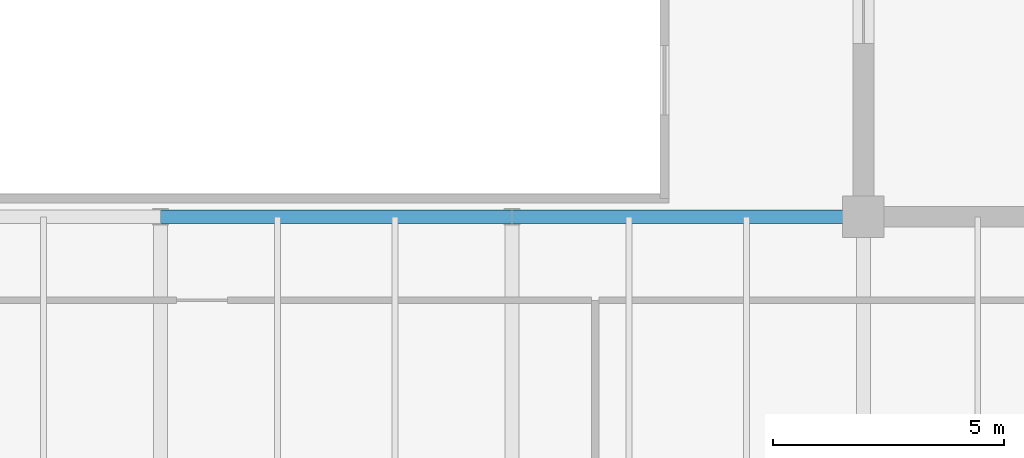
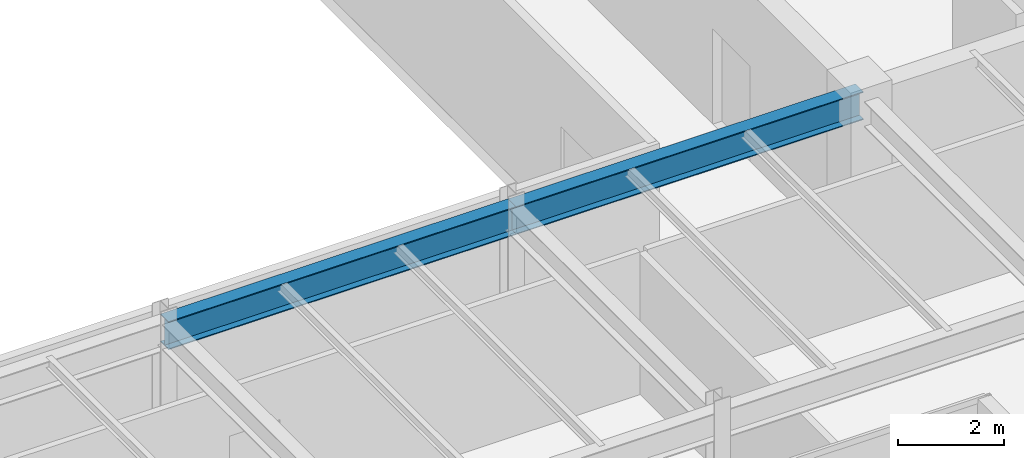
# One storey, part 13 of 31: 2 beams.
"""IFC4 building model written with IfcOpenShell, lengths in metres."""

from ifc_helpers import new_model, si_unit, direction, frame, origin, origin_2d, place, context, subcontext, project, spatial, i_section, extrude, source, transform, mapped, material, material_profile, profile_set, type_object, type_shapes, element, save


model = new_model("IFC4")

# Units and contexts
model_context = context("Model", 3, precision=1e-05, world=origin(), true_north=direction((0.0, 1.0)))
body_context = subcontext(model_context, "Body", "Model", "MODEL_VIEW")
ifc_project = project(units=[si_unit("LENGTHUNIT", "METRE"), si_unit("AREAUNIT", "SQUARE_METRE"), si_unit("VOLUMEUNIT", "CUBIC_METRE"), si_unit("PLANEANGLEUNIT", "RADIAN"), si_unit("MASSUNIT", "GRAM", prefix="KILO")], contexts=[model_context])

# Site, building, storey
site_placement = place(None, origin())
site = spatial("IfcSite", under=ifc_project, at=site_placement, CompositionType="ELEMENT")
building_placement = place(site_placement, origin())
building = spatial("IfcBuilding", under=site, at=building_placement, Name="Haelvirn Gate Laboratories", CompositionType="ELEMENT")
storey_placement = place(building_placement, frame((0.0, 0.0, 318.60009765625)))
storey = spatial("IfcBuildingStorey", under=building, at=storey_placement, Name="L76", CompositionType="ELEMENT", Elevation=318.60009765625)

# Beams
ifc_material = material(Name="Steel SM355", Category="steel")
ifc_material_profile = material_profile(ifc_material, i_section(OverallWidth=0.300048828125, OverallDepth=0.64990234375, WebThickness=0.012939453125, FlangeThickness=0.02197265625, at=origin_2d()), Name="H-650x300x13x22")
ifc_profile_set = profile_set([ifc_material_profile], Name="Steel SM355")
beam_type = type_object("IfcBeamType", Name="BM-G-650", PredefinedType="BEAM", material=ifc_profile_set)
shared_shape = source(origin(), body_context, "Body", "SweptSolid", [
    extrude(i_section(OverallWidth=0.300048828125, OverallDepth=0.64990234375, WebThickness=0.012939453125, FlangeThickness=0.02197265625, at=origin_2d()), origin(), (0.0, 0.0, 1.0), 7.60009765625),
])
type_shapes(beam_type, [shared_shape])
for number, where, z_axis, x_axis, name in (
    (1, (37.39990234375, 14.800048828125, 3.574951171875), (1.0, 0.0, 0.0), (0.0, 1.0, 0.0), "L76 Primary Girder Y14.8 (37.4-45.0)"),
    (2, (45.0, 14.800048828125, 3.574951171875), (1.0, 0.0, 0.0), (0.0, 1.0, 0.0), "L76 Primary Girder Y14.8 (45.0-52.6)"),
):
    element("IfcBeam", number, at=place(storey_placement, frame(where, z_axis=z_axis, x_axis=x_axis)), inside=storey, type_object=beam_type, Name=name, PredefinedType="BEAM", context=body_context, shape_type="MappedRepresentation", body=[
        mapped(shared_shape, transform((0.0, 0.0, 0.0), scale=1.0)),
    ])

save(model, "model.ifc")
